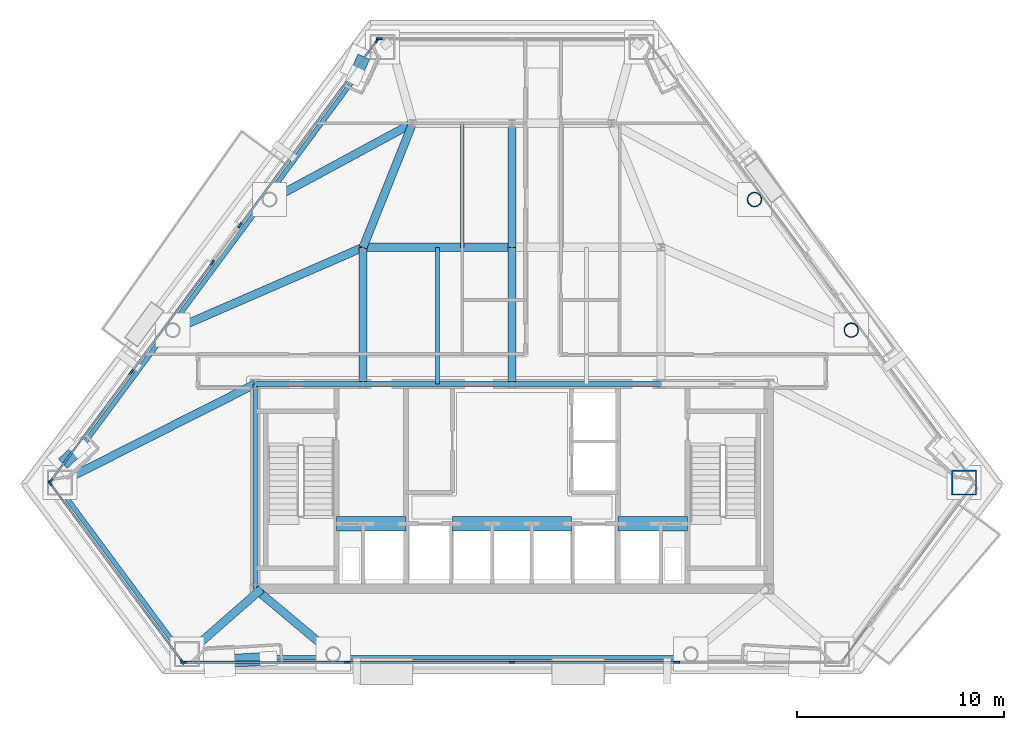
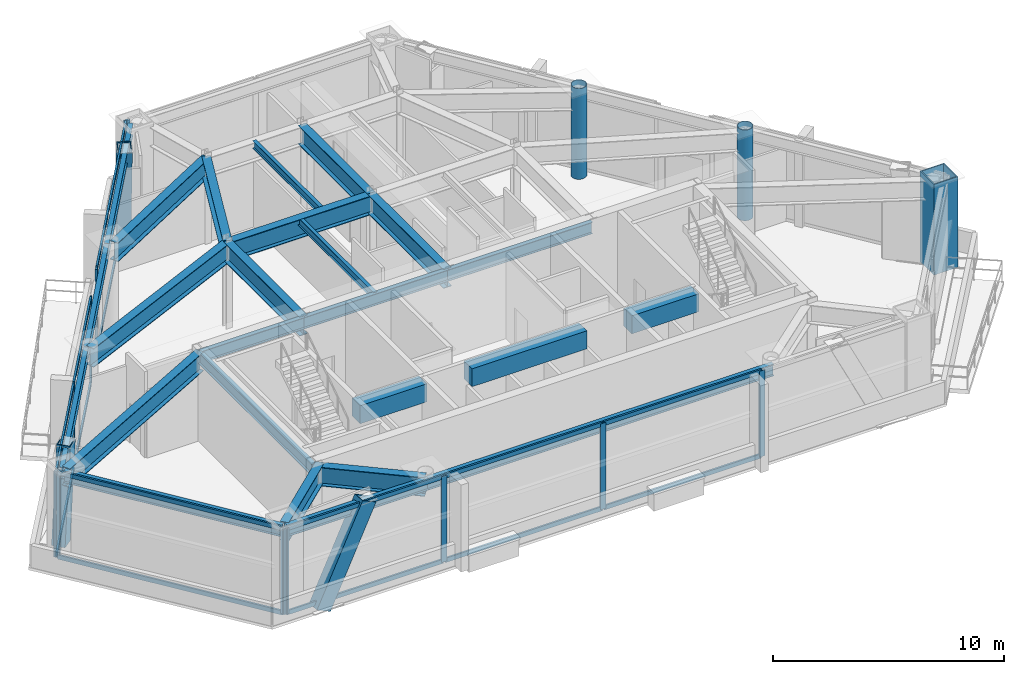
# One storey, part 2 of 9: 29 members, 25 beams, 3 columns, 5 elements without a shape of their own.
"""IFC4 building model written with IfcOpenShell, lengths in metres."""

from ifc_helpers import new_model, si_unit, direction, frame, origin, origin_2d, place, context, subcontext, project, spatial, rectangle, hollow_rectangle, hollow_circle, i_section, extrude, material, layer, layer_set, material_profile, profile_set, type_object, element, aggregate, save


model = new_model("IFC4")

# Units and contexts
model_context = context("Model", 3, precision=1e-05, world=origin(), true_north=direction((0.0, 1.0)))
body_context = subcontext(model_context, "Body", "Model", "MODEL_VIEW")
ifc_project = project(units=[si_unit("LENGTHUNIT", "METRE"), si_unit("AREAUNIT", "SQUARE_METRE"), si_unit("VOLUMEUNIT", "CUBIC_METRE"), si_unit("PLANEANGLEUNIT", "RADIAN"), si_unit("MASSUNIT", "GRAM", prefix="KILO")], contexts=[model_context])

# Site, building, storey
site_placement = place(None, origin())
site = spatial("IfcSite", under=ifc_project, at=site_placement, CompositionType="ELEMENT")
building_placement = place(site_placement, origin())
building = spatial("IfcBuilding", under=site, at=building_placement, Name="Talgorran Terracotta Tower", CompositionType="ELEMENT")
storey_placement = place(building_placement, frame((0.0, 0.0, 94.800048828125)))
storey = spatial("IfcBuildingStorey", under=building, at=storey_placement, Name="L24", CompositionType="ELEMENT", Elevation=94.800048828125)

# Columns
ifc_material_1 = material(Name="Steel Grade 350 (350L0)", Category="steel")
ifc_material_profile_1 = material_profile(ifc_material_1, hollow_rectangle(XDim=1.199951171875, YDim=1.199951171875, WallThickness=0.054931640625, at=origin_2d()), Name="CFT1200X1200X55")
ifc_profile_set_1 = profile_set([ifc_material_profile_1], Name="Steel Grade 350 (350L0)")
column_type_1 = type_object("IfcColumnType", Name="COL_CFT_1200", PredefinedType="COLUMN", material=ifc_profile_set_1)
column_placement = place(storey_placement, frame((21.843994140625, -8.96142578125, 0.0), z_axis=(0.0, 0.0, 1.0), x_axis=(1.0, 0.0, 0.0)))
element("IfcColumn", 1, at=column_placement, inside=storey, type_object=column_type_1, Name="L24 Corner CFT Mega-Column MC4", PredefinedType="COLUMN", context=body_context, shape_type="SweptSolid", body=[
    extrude(hollow_rectangle(XDim=1.199951171875, YDim=1.199951171875, WallThickness=0.054931640625, at=origin_2d()), origin(), (0.0, 0.0, 1.0), 4.800048828125),
])
ifc_material_profile_2 = material_profile(ifc_material_1, hollow_circle(Radius=0.35009765625, WallThickness=0.030029296875, at=origin_2d()), Name="CHS700X30")
ifc_profile_set_2 = profile_set([ifc_material_profile_2], Name="Steel Grade 350 (350L0)")
column_type_2 = type_object("IfcColumnType", Name="COL_CHS_700", PredefinedType="COLUMN", material=ifc_profile_set_2)
for number, where, z_axis, x_axis, name in (
    (2, (16.390869140625, -1.598876953125, 0.0), (0.0, 0.0, 1.0), (1.0, 0.0, 0.0), "L24 Facet Perimeter Column FC3"),
    (3, (11.716796875, 4.712158203125, 0.0), (0.0, 0.0, 1.0), (1.0, 0.0, 0.0), "L24 Facet Perimeter Column FC4"),
):
    element("IfcColumn", number, at=place(storey_placement, frame(where, z_axis=z_axis, x_axis=x_axis)), inside=storey, type_object=column_type_2, Name=name, PredefinedType="COLUMN", context=body_context, shape_type="SweptSolid", body=[
        extrude(hollow_circle(Radius=0.35009765625, WallThickness=0.030029296875, at=origin_2d()), origin(), (0.0, 0.0, 1.0), 4.800048828125),
    ])

# Beams
ifc_material_profile_3 = material_profile(ifc_material_1, i_section(OverallWidth=0.39990234375, OverallDepth=1.0, WebThickness=0.01611328125, FlangeThickness=0.031005859375, at=origin_2d()), Name="1000WB296")
ifc_profile_set_3 = profile_set([ifc_material_profile_3], Name="Steel Grade 350 (350L0)")
beam_type_1 = type_object("IfcBeamType", Name="BM_1000WB296", PredefinedType="BEAM", material=ifc_profile_set_3)
beam_1_placement = place(storey_placement, frame((-8.636962890625, -17.252197265625, 4.050048828125), z_axis=(-0.766584003148, 0.642144038451, 0.0), x_axis=(-0.642144038451, -0.766584003148, 0.0)))
element("IfcBeam", 4, at=beam_1_placement, inside=storey, type_object=beam_type_1, Name="L24 South-West Core Tie Beam", PredefinedType="BEAM", context=body_context, shape_type="SweptSolid", body=[
    extrude(i_section(OverallWidth=0.39990234375, OverallDepth=1.0, WebThickness=0.01611328125, FlangeThickness=0.031005859375, at=origin_2d()), origin(), (0.0, 0.0, 1.0), 4.90869140625),
])
beam_2_placement = place(storey_placement, frame((-15.70361328125, -17.252197265625, 4.050048828125), z_axis=(0.752677772141, 0.658389072908, 0.0), x_axis=(-0.658389072908, 0.752677772141, 0.0)))
element("IfcBeam", 5, at=beam_2_placement, inside=storey, type_object=beam_type_1, Name="L24 Perimeter Step Girder 2", PredefinedType="BEAM", context=body_context, shape_type="SweptSolid", body=[
    extrude(i_section(OverallWidth=0.39990234375, OverallDepth=1.0, WebThickness=0.01611328125, FlangeThickness=0.031005859375, at=origin_2d()), origin(), (0.0, 0.0, 1.0), 4.78759765625),
])
for number, where, z_axis, x_axis, name in (
    (6, (-7.199951171875, -4.199951171875, 4.050048828125), (0.0, 1.0, 0.0), (-1.0, 0.0, 0.0), "L24 Floor Girder G01"),
    (7, (0.0, -4.199951171875, 4.050048828125), (0.0, 1.0, 0.0), (-1.0, 0.0, 0.0), "L24 Floor Girder G02"),
):
    element("IfcBeam", number, at=place(storey_placement, frame(where, z_axis=z_axis, x_axis=x_axis)), inside=storey, type_object=beam_type_1, Name=name, PredefinedType="BEAM", context=body_context, shape_type="SweptSolid", body=[
        extrude(i_section(OverallWidth=0.39990234375, OverallDepth=1.0, WebThickness=0.01611328125, FlangeThickness=0.031005859375, at=origin_2d()), origin(), (0.0, 0.0, 1.0), 6.599853515625),
    ])
beam_3_placement = place(storey_placement, frame((-7.199951171875, 2.39990234375, 4.050048828125), z_axis=(1.0, 0.0, 0.0), x_axis=(0.0, 1.0, 0.0)))
element("IfcBeam", 8, at=beam_3_placement, inside=storey, type_object=beam_type_1, Name="L24 Floor Girder G04", PredefinedType="BEAM", context=body_context, shape_type="SweptSolid", body=[
    extrude(i_section(OverallWidth=0.39990234375, OverallDepth=1.0, WebThickness=0.01611328125, FlangeThickness=0.031005859375, at=origin_2d()), origin(), (0.0, 0.0, 1.0), 7.199951171875),
])
beam_4_placement = place(storey_placement, frame((-7.199951171875, 2.39990234375, 4.050048828125), z_axis=(-0.916970505707, -0.398954999548, 0.0), x_axis=(0.398954999548, -0.916970505707, 0.0)))
element("IfcBeam", 9, at=beam_4_placement, inside=storey, type_object=beam_type_1, Name="L24 Floor Girder G06", PredefinedType="BEAM", context=body_context, shape_type="SweptSolid", body=[
    extrude(i_section(OverallWidth=0.39990234375, OverallDepth=1.0, WebThickness=0.01611328125, FlangeThickness=0.031005859375, at=origin_2d()), origin(), (0.0, 0.0, 1.0), 10.023193359375),
])
beam_5_placement = place(storey_placement, frame((-7.199951171875, 2.39990234375, 4.050048828125), z_axis=(0.371377648723, 0.928481901832, 0.0), x_axis=(-0.928481901832, 0.371377648723, 0.0)))
element("IfcBeam", 10, at=beam_5_placement, inside=storey, type_object=beam_type_1, Name="L24 Floor Girder G08", PredefinedType="BEAM", context=body_context, shape_type="SweptSolid", body=[
    extrude(i_section(OverallWidth=0.39990234375, OverallDepth=1.0, WebThickness=0.01611328125, FlangeThickness=0.031005859375, at=origin_2d()), origin(), (0.0, 0.0, 1.0), 6.462158203125),
])
beam_6_placement = place(storey_placement, frame((0.0, 2.39990234375, 4.050048828125), z_axis=(0.0, 1.0, 0.0), x_axis=(-1.0, 0.0, 0.0)))
element("IfcBeam", 11, at=beam_6_placement, inside=storey, type_object=beam_type_1, Name="L24 Floor Girder G09", PredefinedType="BEAM", context=body_context, shape_type="SweptSolid", body=[
    extrude(i_section(OverallWidth=0.39990234375, OverallDepth=1.0, WebThickness=0.01611328125, FlangeThickness=0.031005859375, at=origin_2d()), origin(), (0.0, 0.0, 1.0), 6.0),
])
beam_7_placement = place(storey_placement, frame((-4.800048828125, 8.39990234375, 4.050048828125), z_axis=(-0.879686234895, -0.475554548013, 0.0), x_axis=(0.475554548013, -0.879686234895, 0.0)))
element("IfcBeam", 12, at=beam_7_placement, inside=storey, type_object=beam_type_1, Name="L24 Floor Girder G13", PredefinedType="BEAM", context=body_context, shape_type="SweptSolid", body=[
    extrude(i_section(OverallWidth=0.39990234375, OverallDepth=1.0, WebThickness=0.01611328125, FlangeThickness=0.031005859375, at=origin_2d()), origin(), (0.0, 0.0, 1.0), 7.62255859375),
])
beam_8_placement = place(storey_placement, frame((-12.39990234375, -4.199951171875, 4.050048828125), z_axis=(-0.892931038068, -0.450193470916, 0.0), x_axis=(0.450193470916, -0.892931038068, 0.0)))
element("IfcBeam", 13, at=beam_8_placement, inside=storey, type_object=beam_type_1, Name="L24 Floor Girder G17", PredefinedType="BEAM", context=body_context, shape_type="SweptSolid", body=[
    extrude(i_section(OverallWidth=0.39990234375, OverallDepth=1.0, WebThickness=0.01611328125, FlangeThickness=0.031005859375, at=origin_2d()), origin(), (0.0, 0.0, 1.0), 10.576416015625),
])
ifc_material_2 = material(Name="Concrete C65/80", Category="concrete")
ifc_material_profile_4 = material_profile(ifc_material_2, rectangle(XDim=0.699951171875, YDim=0.949951171875, at=origin_2d()), Name="RCCB700X950")
ifc_profile_set_4 = profile_set([ifc_material_profile_4], Name="Concrete C65/80")
beam_type_2 = type_object("IfcBeamType", Name="BM_CB_700X950", PredefinedType="LINTEL", material=ifc_profile_set_4)
beam_9_placement = place(storey_placement, frame((-8.47998046875, -10.949951171875, 4.074951171875), z_axis=(1.0, 0.0, 0.0), x_axis=(0.0, 1.0, 0.0)))
element("IfcBeam", 14, at=beam_9_placement, inside=storey, type_object=beam_type_2, Name="L24 Core Shear-Wall Coupling Beam CB1", PredefinedType="LINTEL", context=body_context, shape_type="SweptSolid", body=[
    extrude(rectangle(XDim=0.699951171875, YDim=0.949951171875, at=origin_2d()), origin(), (0.0, 0.0, 1.0), 3.35986328125),
])
beam_10_placement = place(storey_placement, frame((-2.8798828125, -10.949951171875, 4.074951171875), z_axis=(1.0, 0.0, 0.0), x_axis=(0.0, 1.0, 0.0)))
element("IfcBeam", 15, at=beam_10_placement, inside=storey, type_object=beam_type_2, Name="L24 Core Shear-Wall Coupling Beam CB2", PredefinedType="LINTEL", context=body_context, shape_type="SweptSolid", body=[
    extrude(rectangle(XDim=0.699951171875, YDim=0.949951171875, at=origin_2d()), origin(), (0.0, 0.0, 1.0), 5.759765625),
])
beam_11_placement = place(storey_placement, frame((5.1201171875, -10.949951171875, 4.074951171875), z_axis=(1.0, 0.0, 0.0), x_axis=(0.0, 1.0, 0.0)))
element("IfcBeam", 16, at=beam_11_placement, inside=storey, type_object=beam_type_2, Name="L24 Core Shear-Wall Coupling Beam CB3", PredefinedType="LINTEL", context=body_context, shape_type="SweptSolid", body=[
    extrude(rectangle(XDim=0.699951171875, YDim=0.949951171875, at=origin_2d()), origin(), (0.0, 0.0, 1.0), 3.35986328125),
])
ifc_material_3 = material(Name="Steel S355 (300PLUS)", Category="steel")
ifc_material_profile_5 = material_profile(ifc_material_3, i_section(OverallWidth=0.177734375, OverallDepth=0.406494140625, WebThickness=0.0078125, FlangeThickness=0.0126953125, at=origin_2d()), Name="410UB59.7")
ifc_profile_set_5 = profile_set([ifc_material_profile_5], Name="Steel S355 (300PLUS)")
beam_type_3 = type_object("IfcBeamType", Name="BM_JS_410UB60", PredefinedType="JOIST", material=ifc_profile_set_5)
beam_12_placement = place(storey_placement, frame((-3.60009765625, -4.199951171875, 4.3466796875), z_axis=(0.0, 1.0, 0.0), x_axis=(-1.0, 0.0, 0.0)))
element("IfcBeam", 17, at=beam_12_placement, inside=storey, type_object=beam_type_3, Name="L24 Secondary Joist J01", PredefinedType="JOIST", context=body_context, shape_type="SweptSolid", body=[
    extrude(i_section(OverallWidth=0.177734375, OverallDepth=0.406494140625, WebThickness=0.0078125, FlangeThickness=0.0126953125, at=origin_2d()), origin(), (0.0, 0.0, 1.0), 6.599853515625),
])
beam_13_placement = place(storey_placement, frame((-2.39990234375, 2.39990234375, 4.3466796875), z_axis=(0.0, 1.0, 0.0), x_axis=(-1.0, 0.0, 0.0)))
element("IfcBeam", 18, at=beam_13_placement, inside=storey, type_object=beam_type_3, Name="L24 Secondary Joist J03", PredefinedType="JOIST", context=body_context, shape_type="SweptSolid", body=[
    extrude(i_section(OverallWidth=0.177734375, OverallDepth=0.406494140625, WebThickness=0.0078125, FlangeThickness=0.0126953125, at=origin_2d()), origin(), (0.0, 0.0, 1.0), 6.0),
])
ifc_material_profile_6 = material_profile(ifc_material_3, i_section(OverallWidth=0.22900390625, OverallDepth=0.611572265625, WebThickness=0.011962890625, FlangeThickness=0.01953125, at=origin_2d()), Name="610UB125")
ifc_profile_set_6 = profile_set([ifc_material_profile_6], Name="Steel S355 (300PLUS)")
beam_type_4 = type_object("IfcBeamType", Name="BM_SP_610UB125", PredefinedType="SPANDREL", material=ifc_profile_set_6)
beam_14_placement = place(storey_placement, frame((-21.988525390625, -9.068603515625, 4.244140625), z_axis=(0.595169259298, -0.803600368832, 0.0), x_axis=(0.803600368832, 0.595169259298, 0.0)))
element("IfcBeam", 19, at=beam_14_placement, inside=storey, type_object=beam_type_4, Name="L24 Perimeter Spandrel Beam MC1-MC2", PredefinedType="SPANDREL", context=body_context, shape_type="SweptSolid", body=[
    extrude(i_section(OverallWidth=0.22900390625, OverallDepth=0.611572265625, WebThickness=0.011962890625, FlangeThickness=0.01953125, at=origin_2d()), origin(), (0.0, 0.0, 1.0), 10.317138671875),
])
beam_15_placement = place(storey_placement, frame((-15.70361328125, -17.43212890625, 4.244140625), z_axis=(1.0, 0.0, 0.0), x_axis=(0.0, 1.0, 0.0)))
element("IfcBeam", 20, at=beam_15_placement, inside=storey, type_object=beam_type_4, Name="L24 Perimeter Spandrel Beam MC2-FC1", PredefinedType="SPANDREL", context=body_context, shape_type="SweptSolid", body=[
    extrude(i_section(OverallWidth=0.22900390625, OverallDepth=0.611572265625, WebThickness=0.011962890625, FlangeThickness=0.01953125, at=origin_2d()), origin(), (0.0, 0.0, 1.0), 7.066650390625),
])
beam_16_placement = place(storey_placement, frame((-8.636962890625, -17.43212890625, 4.244140625), z_axis=(1.0, 0.0, 0.0), x_axis=(0.0, 1.0, 0.0)))
element("IfcBeam", 21, at=beam_16_placement, inside=storey, type_object=beam_type_4, Name="L24 Perimeter Spandrel Beam FC1-FC2", PredefinedType="SPANDREL", context=body_context, shape_type="SweptSolid", body=[
    extrude(i_section(OverallWidth=0.22900390625, OverallDepth=0.611572265625, WebThickness=0.011962890625, FlangeThickness=0.01953125, at=origin_2d()), origin(), (0.0, 0.0, 1.0), 17.27392578125),
])
beam_17_placement = place(storey_placement, frame((-6.408203125, 12.181884765625, 4.244140625), z_axis=(-0.595184216163, -0.803589291137, 0.0), x_axis=(0.803589291137, -0.595184216163, 0.0)))
element("IfcBeam", 22, at=beam_17_placement, inside=storey, type_object=beam_type_4, Name="L24 Perimeter Spandrel Beam MC6-FC5", PredefinedType="SPANDREL", context=body_context, shape_type="SweptSolid", body=[
    extrude(i_section(OverallWidth=0.22900390625, OverallDepth=0.611572265625, WebThickness=0.011962890625, FlangeThickness=0.01953125, at=origin_2d()), origin(), (0.0, 0.0, 1.0), 9.162109375),
])
beam_18_placement = place(storey_placement, frame((-11.861328125, 4.8193359375, 4.244140625), z_axis=(-0.595164355593, -0.803604000632, 0.0), x_axis=(0.803604000632, -0.595164355593, 0.0)))
element("IfcBeam", 23, at=beam_18_placement, inside=storey, type_object=beam_type_4, Name="L24 Perimeter Spandrel Beam FC5-FC6", PredefinedType="SPANDREL", context=body_context, shape_type="SweptSolid", body=[
    extrude(i_section(OverallWidth=0.22900390625, OverallDepth=0.611572265625, WebThickness=0.011962890625, FlangeThickness=0.01953125, at=origin_2d()), origin(), (0.0, 0.0, 1.0), 7.853515625),
])
beam_19_placement = place(storey_placement, frame((-16.535400390625, -1.49169921875, 4.244140625), z_axis=(-0.595171471605, -0.80359873033, 0.0), x_axis=(0.80359873033, -0.595171471605, 0.0)))
element("IfcBeam", 24, at=beam_19_placement, inside=storey, type_object=beam_type_4, Name="L24 Perimeter Spandrel Beam FC6-MC1", PredefinedType="SPANDREL", context=body_context, shape_type="SweptSolid", body=[
    extrude(i_section(OverallWidth=0.22900390625, OverallDepth=0.611572265625, WebThickness=0.011962890625, FlangeThickness=0.01953125, at=origin_2d()), origin(), (0.0, 0.0, 1.0), 9.162353515625),
])
beam_20_placement = place(storey_placement, frame((-12.39990234375, -14.10009765625, 4.244140625), z_axis=(0.0, 1.0, 0.0), x_axis=(-1.0, 0.0, 0.0)))
element("IfcBeam", 25, at=beam_20_placement, inside=storey, type_object=beam_type_4, Name="L24 Core Frame Beam CFW", PredefinedType="SPANDREL", context=body_context, shape_type="SweptSolid", body=[
    extrude(i_section(OverallWidth=0.22900390625, OverallDepth=0.611572265625, WebThickness=0.011962890625, FlangeThickness=0.01953125, at=origin_2d()), origin(), (0.0, 0.0, 1.0), 9.900146484375),
])
beam_21_placement = place(storey_placement, frame((-12.39990234375, -4.199951171875, 4.244140625), z_axis=(1.0, 0.0, 0.0), x_axis=(0.0, 1.0, 0.0)))
element("IfcBeam", 26, at=beam_21_placement, inside=storey, type_object=beam_type_4, Name="L24 Core Frame Beam CFN1", PredefinedType="SPANDREL", context=body_context, shape_type="SweptSolid", body=[
    extrude(i_section(OverallWidth=0.22900390625, OverallDepth=0.611572265625, WebThickness=0.011962890625, FlangeThickness=0.01953125, at=origin_2d()), origin(), (0.0, 0.0, 1.0), 5.199951171875),
])
for number, where, z_axis, x_axis, name in (
    (27, (-7.199951171875, -4.199951171875, 4.244140625), (1.0, 0.0, 0.0), (0.0, 1.0, 0.0), "L24 Core Frame Beam CFN2"),
    (28, (0.0, -4.199951171875, 4.244140625), (1.0, 0.0, 0.0), (0.0, 1.0, 0.0), "L24 Core Frame Beam CFN3"),
):
    element("IfcBeam", number, at=place(storey_placement, frame(where, z_axis=z_axis, x_axis=x_axis)), inside=storey, type_object=beam_type_4, Name=name, PredefinedType="SPANDREL", context=body_context, shape_type="SweptSolid", body=[
        extrude(i_section(OverallWidth=0.22900390625, OverallDepth=0.611572265625, WebThickness=0.011962890625, FlangeThickness=0.01953125, at=origin_2d()), origin(), (0.0, 0.0, 1.0), 7.199951171875),
    ])

# Members
ifc_material_profile_7 = material_profile(ifc_material_1, hollow_rectangle(XDim=0.6201171875, YDim=0.780029296875, WallThickness=0.0419921875, at=origin_2d()), Name="WBOX780X620X42")
ifc_profile_set_7 = profile_set([ifc_material_profile_7], Name="Steel Grade 350 (350L0)")
member_type_1 = type_object("IfcMemberType", Name="MB_MEGA_780", PredefinedType="BRACE", material=ifc_profile_set_7)
member_1_placement = place(storey_placement, frame((-14.1376953125, -17.6123046875, -0.300048828125), z_axis=(0.436575822921, 0.026661118957, 0.899272336713), x_axis=(-0.060955145421, 0.998140506265, 0.0)))
element("IfcMember", 29, at=member_1_placement, inside=storey, type_object=member_type_1, Name="L24 Exterior Face Mega-Brace MB-2 (SWF)", PredefinedType="BRACE", context=body_context, shape_type="SweptSolid", body=[
    extrude(hollow_rectangle(XDim=0.6201171875, YDim=0.780029296875, WallThickness=0.0419921875, at=origin_2d()), origin(), (0.0, 0.0, 1.0), 5.421142578125),
])
member_2_placement = place(storey_placement, frame((-7.316650390625, 11.258056640625, -0.300048828125), z_axis=(-0.051967048146, -0.114665341416, 0.992043993674), x_axis=(0.910825426635, -0.412791766144, 0.0)))
element("IfcMember", 30, at=member_2_placement, inside=storey, type_object=member_type_1, Name="L24 Exterior Face Mega-Brace MB-2 (NWU)", PredefinedType="BRACE", context=body_context, shape_type="SweptSolid", body=[
    extrude(hollow_rectangle(XDim=0.6201171875, YDim=0.780029296875, WallThickness=0.0419921875, at=origin_2d()), origin(), (0.0, 0.0, 1.0), 4.9140625),
])
member_3_placement = place(storey_placement, frame((-21.42041015625, -7.78466796875, -0.300048828125), z_axis=(0.109299082594, 0.100731460805, 0.98889174501), x_axis=(-0.677698679324, 0.735339717438, 0.0)))
element("IfcMember", 31, at=member_3_placement, inside=storey, type_object=member_type_1, Name="L24 Exterior Face Mega-Brace MB-2 (NWL)", PredefinedType="BRACE", context=body_context, shape_type="SweptSolid", body=[
    extrude(hollow_rectangle(XDim=0.6201171875, YDim=0.780029296875, WallThickness=0.0419921875, at=origin_2d()), origin(), (0.0, 0.0, 1.0), 4.9296875),
])

# Curtain wall, members
ifc_material_4 = material(Name="Structural Laminated Low-Iron")
ifc_layer = layer(ifc_material_4, 0.239990234375, Name="CW_SYS5_SKY_OBS")
ifc_layer_set = layer_set([ifc_layer], Name="Structural Laminated Low-Iron")
curtain_wall_type = type_object("IfcCurtainWallType", Name="CW_SYS5_SKY_OBS", PredefinedType="NOTDEFINED", material=ifc_layer_set)
curtain_wall_1_placement = place(storey_placement, origin())
curtain_wall_1 = element("IfcCurtainWall", 32, at=curtain_wall_1_placement, inside=storey, type_object=curtain_wall_type, Name="CW-L24-F0", PredefinedType="NOTDEFINED")
ifc_material_5 = material(Name="Architectural Aluminium 6063-T6", Category="aluminium")
ifc_material_profile_8 = material_profile(ifc_material_5, rectangle(XDim=0.090087890625, YDim=0.280029296875, at=origin_2d()), Name="CWM90X280")
ifc_profile_set_8 = profile_set([ifc_material_profile_8], Name="Architectural Aluminium 6063-T6")
member_type_2 = type_object("IfcMemberType", Name="MUL_90X280", PredefinedType="MULLION", material=ifc_profile_set_8)
member_4_placement = place(storey_placement, frame((-22.31494140625, -8.99755859375, 0.0), z_axis=(0.0, 0.0, 1.0), x_axis=(0.803595029924, 0.595176467849, 0.0)))
member_4 = element("IfcMember", 33, at=member_4_placement, type_object=member_type_2, Name="CW-L24-0 mullion 1", PredefinedType="MULLION", context=body_context, shape_type="SweptSolid", body=[
    extrude(rectangle(XDim=0.090087890625, YDim=0.280029296875, at=origin_2d()), origin(), (0.0, 0.0, 1.0), 4.550048828125),
])
member_5_placement = place(storey_placement, frame((-15.931884765625, -17.615966796875, 0.0), z_axis=(0.0, 0.0, 1.0), x_axis=(0.803595029924, 0.595176467849, 0.0)))
member_5 = element("IfcMember", 34, at=member_5_placement, type_object=member_type_2, Name="CW-L24-0 mullion 2", PredefinedType="MULLION", context=body_context, shape_type="SweptSolid", body=[
    extrude(rectangle(XDim=0.090087890625, YDim=0.280029296875, at=origin_2d()), origin(), (0.0, 0.0, 1.0), 4.550048828125),
])

curtain_wall_2_placement = place(storey_placement, origin())
curtain_wall_2 = element("IfcCurtainWall", 35, at=curtain_wall_2_placement, inside=storey, type_object=curtain_wall_type, Name="CW-L24-F1", PredefinedType="NOTDEFINED")
member_6_placement = place(storey_placement, frame((-15.860107421875, -17.652099609375, 0.0), z_axis=(0.0, 0.0, 1.0), x_axis=(0.0, 1.0, 0.0)))
member_6 = element("IfcMember", 36, at=member_6_placement, type_object=member_type_2, Name="CW-L24-1 mullion 1", PredefinedType="MULLION", context=body_context, shape_type="SweptSolid", body=[
    extrude(rectangle(XDim=0.090087890625, YDim=0.280029296875, at=origin_2d()), origin(), (0.0, 0.0, 1.0), 4.550048828125),
])
member_7_placement = place(storey_placement, frame((-7.95263671875, -17.652099609375, 0.0), z_axis=(0.0, 0.0, 1.0), x_axis=(0.0, 1.0, 0.0)))
member_7 = element("IfcMember", 37, at=member_7_placement, type_object=member_type_2, Name="CW-L24-1 mullion 2", PredefinedType="MULLION", context=body_context, shape_type="SweptSolid", body=[
    extrude(rectangle(XDim=0.090087890625, YDim=0.280029296875, at=origin_2d()), origin(), (0.0, 0.0, 1.0), 4.550048828125),
])
member_8_placement = place(storey_placement, frame((0.0, -17.652099609375, 0.0), z_axis=(0.0, 0.0, 1.0), x_axis=(0.0, 1.0, 0.0)))
member_8 = element("IfcMember", 38, at=member_8_placement, type_object=member_type_2, Name="CW-L24-1 mullion 3", PredefinedType="MULLION", context=body_context, shape_type="SweptSolid", body=[
    extrude(rectangle(XDim=0.090087890625, YDim=0.280029296875, at=origin_2d()), origin(), (0.0, 0.0, 1.0), 4.550048828125),
])
member_9_placement = place(storey_placement, frame((7.95263671875, -17.652099609375, 0.0), z_axis=(0.0, 0.0, 1.0), x_axis=(0.0, 1.0, 0.0)))
member_9 = element("IfcMember", 39, at=member_9_placement, type_object=member_type_2, Name="CW-L24-1 mullion 4", PredefinedType="MULLION", context=body_context, shape_type="SweptSolid", body=[
    extrude(rectangle(XDim=0.090087890625, YDim=0.280029296875, at=origin_2d()), origin(), (0.0, 0.0, 1.0), 4.550048828125),
])

# Curtain wall, member
curtain_wall_3_placement = place(storey_placement, origin())
curtain_wall_3 = element("IfcCurtainWall", 40, at=curtain_wall_3_placement, inside=storey, type_object=curtain_wall_type, Name="CW-L24-F4", PredefinedType="NOTDEFINED")
member_10_placement = place(storey_placement, frame((-6.420166015625, 12.474853515625, 0.0), z_axis=(0.0, 0.0, 1.0), x_axis=(0.0, -1.0, 0.0)))
member_10 = element("IfcMember", 41, at=member_10_placement, type_object=member_type_2, Name="CW-L24-4 mullion 3", PredefinedType="MULLION", context=body_context, shape_type="SweptSolid", body=[
    extrude(rectangle(XDim=0.090087890625, YDim=0.280029296875, at=origin_2d()), origin(), (0.0, 0.0, 1.0), 4.550048828125),
])
aggregate(curtain_wall_3, [member_10])

# Curtain wall, members
curtain_wall_4_placement = place(storey_placement, origin())
curtain_wall_4 = element("IfcCurtainWall", 42, at=curtain_wall_4_placement, inside=storey, type_object=curtain_wall_type, Name="CW-L24-F60", PredefinedType="NOTDEFINED")
member_11_placement = place(storey_placement, frame((-6.515625, 12.40673828125, 0.0), z_axis=(0.0, 0.0, 1.0), x_axis=(0.803593978086, -0.595177888016, 0.0)))
member_11 = element("IfcMember", 43, at=member_11_placement, type_object=member_type_2, Name="CW-L24-60 mullion 1", PredefinedType="MULLION", context=body_context, shape_type="SweptSolid", body=[
    extrude(rectangle(XDim=0.090087890625, YDim=0.280029296875, at=origin_2d()), origin(), (0.0, 0.0, 1.0), 4.550048828125),
])
member_12_placement = place(storey_placement, frame((-13.14013671875, 3.46240234375, 0.0), z_axis=(0.0, 0.0, 1.0), x_axis=(0.803593978086, -0.595177888016, 0.0)))
member_12 = element("IfcMember", 44, at=member_12_placement, type_object=member_type_2, Name="CW-L24-60 mullion 2", PredefinedType="MULLION", context=body_context, shape_type="SweptSolid", body=[
    extrude(rectangle(XDim=0.090087890625, YDim=0.280029296875, at=origin_2d()), origin(), (0.0, 0.0, 1.0), 4.550048828125),
])

curtain_wall_5_placement = place(storey_placement, origin())
curtain_wall_5 = element("IfcCurtainWall", 45, at=curtain_wall_5_placement, inside=storey, type_object=curtain_wall_type, Name="CW-L24-F61", PredefinedType="NOTDEFINED")
member_13_placement = place(storey_placement, frame((-14.479248046875, 1.654296875, 0.0), z_axis=(0.0, 0.0, 1.0), x_axis=(0.803594054676, -0.595177784607, 0.0)))
member_13 = element("IfcMember", 46, at=member_13_placement, type_object=member_type_2, Name="CW-L24-61 mullion 1", PredefinedType="MULLION", context=body_context, shape_type="SweptSolid", body=[
    extrude(rectangle(XDim=0.090087890625, YDim=0.280029296875, at=origin_2d()), origin(), (0.0, 0.0, 1.0), 4.550048828125),
])
member_14_placement = place(storey_placement, frame((-18.38525390625, -3.619384765625, 0.0), z_axis=(0.0, 0.0, 1.0), x_axis=(0.803594054676, -0.595177784607, 0.0)))
member_14 = element("IfcMember", 47, at=member_14_placement, type_object=member_type_2, Name="CW-L24-61 mullion 2", PredefinedType="MULLION", context=body_context, shape_type="SweptSolid", body=[
    extrude(rectangle(XDim=0.090087890625, YDim=0.280029296875, at=origin_2d()), origin(), (0.0, 0.0, 1.0), 4.550048828125),
])
member_15_placement = place(storey_placement, frame((-22.291259765625, -8.893310546875, 0.0), z_axis=(0.0, 0.0, 1.0), x_axis=(0.803594054676, -0.595177784607, 0.0)))
member_15 = element("IfcMember", 48, at=member_15_placement, type_object=member_type_2, Name="CW-L24-61 mullion 3", PredefinedType="MULLION", context=body_context, shape_type="SweptSolid", body=[
    extrude(rectangle(XDim=0.090087890625, YDim=0.280029296875, at=origin_2d()), origin(), (0.0, 0.0, 1.0), 4.550048828125),
])

# Member
ifc_material_profile_9 = material_profile(ifc_material_5, rectangle(XDim=0.090087890625, YDim=0.22509765625, at=origin_2d()), Name="CWT90X225")
ifc_profile_set_9 = profile_set([ifc_material_profile_9], Name="Architectural Aluminium 6063-T6")
member_type_3 = type_object("IfcMemberType", Name="TRN_90X225", PredefinedType="USERDEFINED", material=ifc_profile_set_9)
member_16_placement = place(storey_placement, frame((-22.288330078125, -9.033935546875, 0.044921875), z_axis=(0.595184726426, -0.803588913207, 0.0), x_axis=(0.803588913207, 0.595184726426, 0.0)))
member_16 = element("IfcMember", 49, at=member_16_placement, type_object=member_type_3, Name="CW-L24-0 transom 1.1", ObjectType="TRANSOM", PredefinedType="USERDEFINED", context=body_context, shape_type="SweptSolid", body=[
    extrude(rectangle(XDim=0.090087890625, YDim=0.22509765625, at=origin_2d()), origin(), (0.0, 0.0, 1.0), 10.634765625),
])

member_17_placement = place(storey_placement, frame((-22.288330078125, -9.033935546875, 4.5048828125), z_axis=(0.595184726426, -0.803588913207, 0.0), x_axis=(0.803588913207, 0.595184726426, 0.0)))
member_17 = element("IfcMember", 50, at=member_17_placement, type_object=member_type_3, Name="CW-L24-0 transom 1.2", ObjectType="TRANSOM", PredefinedType="USERDEFINED", context=body_context, shape_type="SweptSolid", body=[
    extrude(rectangle(XDim=0.090087890625, YDim=0.22509765625, at=origin_2d()), origin(), (0.0, 0.0, 1.0), 10.634765625),
])

aggregate(curtain_wall_1, [member_4, member_5, member_16, member_17])

member_18_placement = place(storey_placement, frame((-15.815185546875, -17.652099609375, 0.044921875), z_axis=(1.0, 0.0, 0.0), x_axis=(0.0, 1.0, 0.0)))
member_18 = element("IfcMember", 51, at=member_18_placement, type_object=member_type_3, Name="CW-L24-1 transom 1.1", ObjectType="TRANSOM", PredefinedType="USERDEFINED", context=body_context, shape_type="SweptSolid", body=[
    extrude(rectangle(XDim=0.090087890625, YDim=0.22509765625, at=origin_2d()), origin(), (0.0, 0.0, 1.0), 7.817626953125),
])

member_19_placement = place(storey_placement, frame((-15.815185546875, -17.652099609375, 4.5048828125), z_axis=(1.0, 0.0, 0.0), x_axis=(0.0, 1.0, 0.0)))
member_19 = element("IfcMember", 52, at=member_19_placement, type_object=member_type_3, Name="CW-L24-1 transom 1.2", ObjectType="TRANSOM", PredefinedType="USERDEFINED", context=body_context, shape_type="SweptSolid", body=[
    extrude(rectangle(XDim=0.090087890625, YDim=0.22509765625, at=origin_2d()), origin(), (0.0, 0.0, 1.0), 7.817626953125),
])

member_20_placement = place(storey_placement, frame((-7.907470703125, -17.652099609375, 0.044921875), z_axis=(1.0, 0.0, 0.0), x_axis=(0.0, 1.0, 0.0)))
member_20 = element("IfcMember", 53, at=member_20_placement, type_object=member_type_3, Name="CW-L24-1 transom 2.1", ObjectType="TRANSOM", PredefinedType="USERDEFINED", context=body_context, shape_type="SweptSolid", body=[
    extrude(rectangle(XDim=0.090087890625, YDim=0.22509765625, at=origin_2d()), origin(), (0.0, 0.0, 1.0), 7.862548828125),
])

member_21_placement = place(storey_placement, frame((-7.907470703125, -17.652099609375, 4.5048828125), z_axis=(1.0, 0.0, 0.0), x_axis=(0.0, 1.0, 0.0)))
member_21 = element("IfcMember", 54, at=member_21_placement, type_object=member_type_3, Name="CW-L24-1 transom 2.2", ObjectType="TRANSOM", PredefinedType="USERDEFINED", context=body_context, shape_type="SweptSolid", body=[
    extrude(rectangle(XDim=0.090087890625, YDim=0.22509765625, at=origin_2d()), origin(), (0.0, 0.0, 1.0), 7.862548828125),
])

member_22_placement = place(storey_placement, frame((0.044921875, -17.652099609375, 0.044921875), z_axis=(1.0, 0.0, 0.0), x_axis=(0.0, 1.0, 0.0)))
member_22 = element("IfcMember", 55, at=member_22_placement, type_object=member_type_3, Name="CW-L24-1 transom 3.1", ObjectType="TRANSOM", PredefinedType="USERDEFINED", context=body_context, shape_type="SweptSolid", body=[
    extrude(rectangle(XDim=0.090087890625, YDim=0.22509765625, at=origin_2d()), origin(), (0.0, 0.0, 1.0), 7.862548828125),
])

member_23_placement = place(storey_placement, frame((0.044921875, -17.652099609375, 4.5048828125), z_axis=(1.0, 0.0, 0.0), x_axis=(0.0, 1.0, 0.0)))
member_23 = element("IfcMember", 56, at=member_23_placement, type_object=member_type_3, Name="CW-L24-1 transom 3.2", ObjectType="TRANSOM", PredefinedType="USERDEFINED", context=body_context, shape_type="SweptSolid", body=[
    extrude(rectangle(XDim=0.090087890625, YDim=0.22509765625, at=origin_2d()), origin(), (0.0, 0.0, 1.0), 7.862548828125),
])

aggregate(curtain_wall_2, [member_6, member_7, member_8, member_9, member_18, member_19, member_20, member_21, member_22, member_23])

member_24_placement = place(storey_placement, frame((-6.54248046875, 12.370361328125, 0.044921875), z_axis=(-0.595187886423, -0.803586572719, 0.0), x_axis=(0.803586572719, -0.595187886423, 0.0)))
member_24 = element("IfcMember", 57, at=member_24_placement, type_object=member_type_3, Name="CW-L24-60 transom 1.1", ObjectType="TRANSOM", PredefinedType="USERDEFINED", context=body_context, shape_type="SweptSolid", body=[
    extrude(rectangle(XDim=0.090087890625, YDim=0.22509765625, at=origin_2d()), origin(), (0.0, 0.0, 1.0), 11.040283203125),
])

member_25_placement = place(storey_placement, frame((-6.54248046875, 12.370361328125, 4.5048828125), z_axis=(-0.595187886423, -0.803586572719, 0.0), x_axis=(0.803586572719, -0.595187886423, 0.0)))
member_25 = element("IfcMember", 58, at=member_25_placement, type_object=member_type_3, Name="CW-L24-60 transom 1.2", ObjectType="TRANSOM", PredefinedType="USERDEFINED", context=body_context, shape_type="SweptSolid", body=[
    extrude(rectangle(XDim=0.090087890625, YDim=0.22509765625, at=origin_2d()), origin(), (0.0, 0.0, 1.0), 11.040283203125),
])

aggregate(curtain_wall_4, [member_11, member_12, member_24, member_25])

member_26_placement = place(storey_placement, frame((-14.506103515625, 1.6181640625, 0.044921875), z_axis=(-0.595167111779, -0.803601959341, 0.0), x_axis=(0.803601959341, -0.595167111779, 0.0)))
member_26 = element("IfcMember", 59, at=member_26_placement, type_object=member_type_3, Name="CW-L24-61 transom 1.1", ObjectType="TRANSOM", PredefinedType="USERDEFINED", context=body_context, shape_type="SweptSolid", body=[
    extrude(rectangle(XDim=0.090087890625, YDim=0.22509765625, at=origin_2d()), origin(), (0.0, 0.0, 1.0), 6.47265625),
])

member_27_placement = place(storey_placement, frame((-14.506103515625, 1.6181640625, 4.5048828125), z_axis=(-0.595167111779, -0.803601959341, 0.0), x_axis=(0.803601959341, -0.595167111779, 0.0)))
member_27 = element("IfcMember", 60, at=member_27_placement, type_object=member_type_3, Name="CW-L24-61 transom 1.2", ObjectType="TRANSOM", PredefinedType="USERDEFINED", context=body_context, shape_type="SweptSolid", body=[
    extrude(rectangle(XDim=0.090087890625, YDim=0.22509765625, at=origin_2d()), origin(), (0.0, 0.0, 1.0), 6.47265625),
])

member_28_placement = place(storey_placement, frame((-18.412109375, -3.65576171875, 0.044921875), z_axis=(-0.595167111779, -0.803601959341, 0.0), x_axis=(0.803601959341, -0.595167111779, 0.0)))
member_28 = element("IfcMember", 61, at=member_28_placement, type_object=member_type_3, Name="CW-L24-61 transom 2.1", ObjectType="TRANSOM", PredefinedType="USERDEFINED", context=body_context, shape_type="SweptSolid", body=[
    extrude(rectangle(XDim=0.090087890625, YDim=0.22509765625, at=origin_2d()), origin(), (0.0, 0.0, 1.0), 6.47265625),
])

member_29_placement = place(storey_placement, frame((-18.412109375, -3.65576171875, 4.5048828125), z_axis=(-0.595167111779, -0.803601959341, 0.0), x_axis=(0.803601959341, -0.595167111779, 0.0)))
member_29 = element("IfcMember", 62, at=member_29_placement, type_object=member_type_3, Name="CW-L24-61 transom 2.2", ObjectType="TRANSOM", PredefinedType="USERDEFINED", context=body_context, shape_type="SweptSolid", body=[
    extrude(rectangle(XDim=0.090087890625, YDim=0.22509765625, at=origin_2d()), origin(), (0.0, 0.0, 1.0), 6.47265625),
])

aggregate(curtain_wall_5, [member_13, member_14, member_15, member_26, member_27, member_28, member_29])

save(model, "model.ifc")
